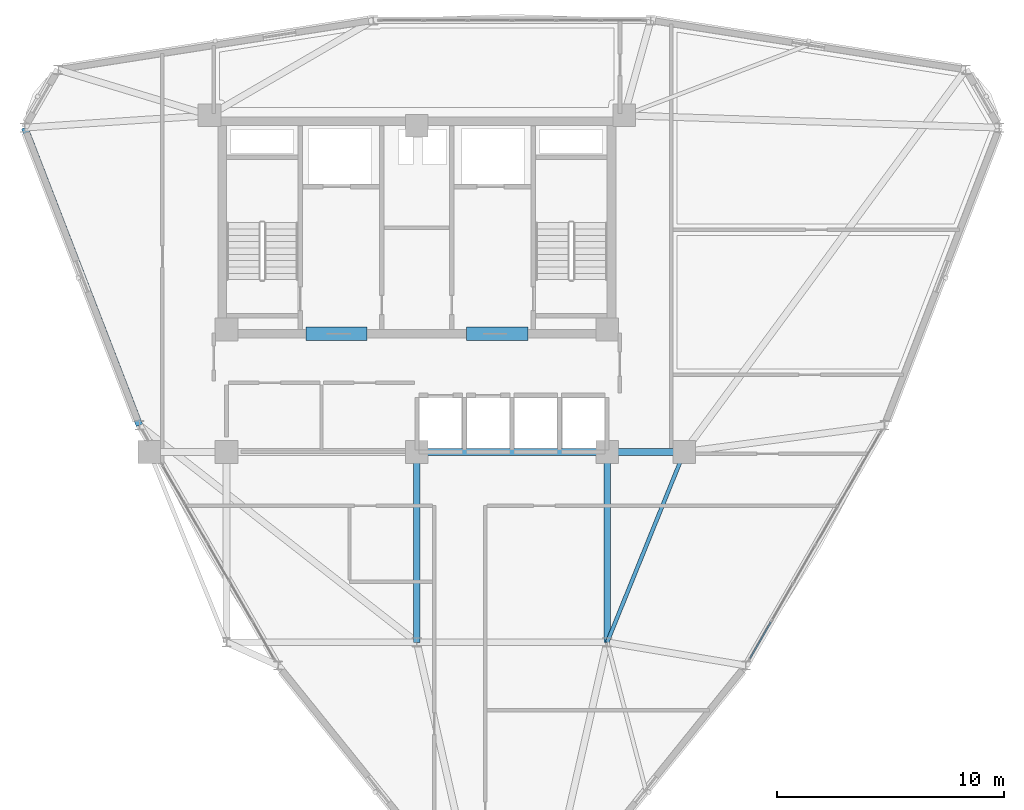
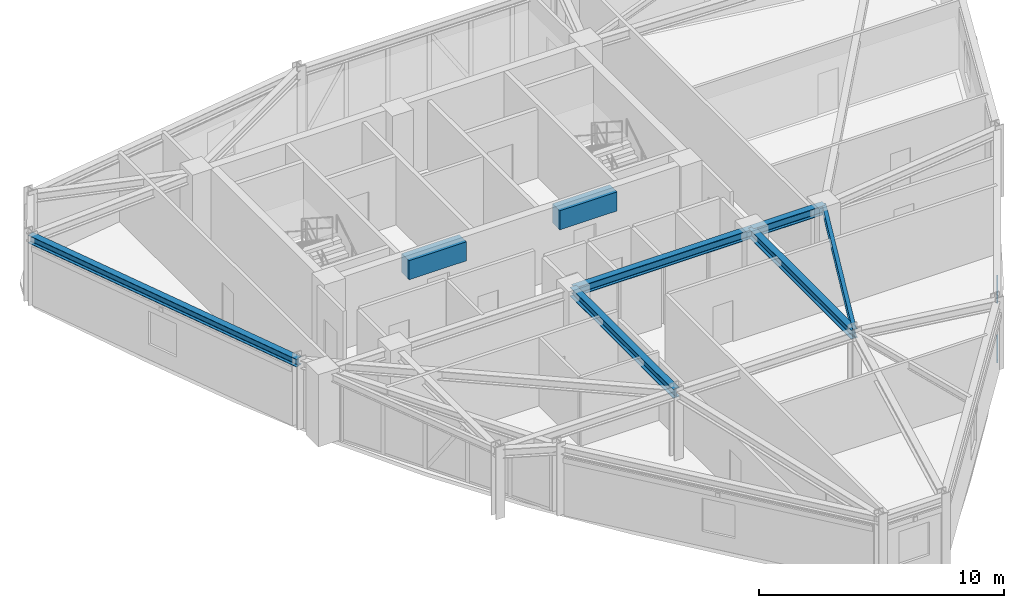
# One storey, part 6 of 16: 8 beams, 2 members, 1 element without a shape of its own.
"""IFC4 building model written with IfcOpenShell, lengths in metres."""

from ifc_helpers import new_model, si_unit, derived_unit, direction, frame, origin, origin_2d, place, context, subcontext, project, spatial, rectangle, hollow_rectangle, i_section, extrude, source, transform, mapped, material, layer, layer_set, material_profile, profile_set, type_object, element, aggregate, save


model = new_model("IFC4")

# Units and contexts
model_context = context("Model", 3, precision=1e-05, world=origin(), true_north=direction((0.0, 1.0)))
body_context = subcontext(model_context, "Body", "Model", "MODEL_VIEW")
ifc_project = project(units=[si_unit("LENGTHUNIT", "METRE"), si_unit("AREAUNIT", "SQUARE_METRE"), si_unit("VOLUMEUNIT", "CUBIC_METRE"), si_unit("PLANEANGLEUNIT", "RADIAN"), si_unit("MASSUNIT", "GRAM", prefix="KILO"), derived_unit("THERMALTRANSMITTANCEUNIT", [(si_unit("POWERUNIT", "WATT"), 1), (si_unit("LENGTHUNIT", "METRE"), -2), (si_unit("THERMODYNAMICTEMPERATUREUNIT", "KELVIN"), -1)])], contexts=[model_context])

# Site, building, storey
site_placement = place(None, origin())
site = spatial("IfcSite", under=ifc_project, at=site_placement, CompositionType="ELEMENT")
building_placement = place(site_placement, origin())
building = spatial("IfcBuilding", under=site, at=building_placement, Name="Korsvarv Bourse and Concert Hall", CompositionType="ELEMENT")
storey_placement = place(building_placement, frame((0.0, 0.0, 220.199951171875)))
storey = spatial("IfcBuildingStorey", under=building, at=storey_placement, Name="L57", CompositionType="ELEMENT", Elevation=220.199951171875)

# Beams
ifc_material_1 = material(Name="Concrete C55/67", Category="concrete")
ifc_material_profile_1 = material_profile(ifc_material_1, rectangle(XDim=0.60009765625, YDim=0.949951171875, at=origin_2d()), Name="RC-BM 600x950")
ifc_profile_set_1 = profile_set([ifc_material_profile_1], Name="Concrete C55/67")
beam_type_1 = type_object("IfcBeamType", Name="BM-CPL", PredefinedType="LINTEL", material=ifc_profile_set_1)
shared_shape_1 = source(origin(), body_context, "Body", "SweptSolid", [
    extrude(rectangle(XDim=0.60009765625, YDim=0.949951171875, at=origin_2d()), origin(), (0.0, 0.0, 1.0), 2.699951171875),
])
for number, where, z_axis, x_axis, name in (
    (1, (31.10009765625, 37.610107421875, 2.93505859375), (1.0, 0.0, 0.0), (0.0, 1.0, 0.0), "L57 Core Coupling Beam West"),
    (2, (38.199951171875, 37.610107421875, 2.93505859375), (1.0, 0.0, 0.0), (0.0, 1.0, 0.0), "L57 Core Coupling Beam East"),
):
    element("IfcBeam", number, at=place(storey_placement, frame(where, z_axis=z_axis, x_axis=x_axis)), inside=storey, type_object=beam_type_1, Name=name, PredefinedType="LINTEL", context=body_context, shape_type="MappedRepresentation", body=[
        mapped(shared_shape_1, transform((0.0, 0.0, 0.0), scale=1.0)),
    ])
ifc_material_2 = material(Name="Steel S355", Category="steel")
ifc_material_profile_2 = material_profile(ifc_material_2, i_section(OverallWidth=0.169921875, OverallDepth=0.360107421875, WebThickness=0.008056640625, FlangeThickness=0.0126953125, FilletRadius=0.01806640625, at=origin_2d()), Name="IPE 360")
ifc_profile_set_2 = profile_set([ifc_material_profile_2], Name="Steel S355")
beam_type_2 = type_object("IfcBeamType", Name="BM-IPE360", PredefinedType="JOIST", material=ifc_profile_set_2)
shared_shape_2 = source(origin(), body_context, "Body", "SweptSolid", [
    extrude(i_section(OverallWidth=0.169921875, OverallDepth=0.360107421875, WebThickness=0.008056640625, FlangeThickness=0.0126953125, FilletRadius=0.01806640625, at=origin_2d()), origin(), (0.0, 0.0, 1.0), 9.06201171875),
])
beam_1_placement = place(storey_placement, frame((47.800048828125, 32.39990234375, 3.22998046875), z_axis=(-0.375210394783, -0.926939674222, 0.0), x_axis=(0.926939674222, -0.375210394783, 0.0)))
element("IfcBeam", 3, at=beam_1_placement, inside=storey, type_object=beam_type_2, Name="L57 beam J-06", PredefinedType="JOIST", context=body_context, shape_type="MappedRepresentation", body=[
    mapped(shared_shape_2, transform((0.0, 0.0, 0.0), scale=1.0)),
])
ifc_material_profile_3 = material_profile(ifc_material_2, i_section(OverallWidth=0.300048828125, OverallDepth=0.449951171875, WebThickness=0.013916015625, FlangeThickness=0.02587890625, FilletRadius=0.02099609375, at=origin_2d()), Name="HEB 450")
ifc_profile_set_3 = profile_set([ifc_material_profile_3], Name="Steel S355")
beam_type_3 = type_object("IfcBeamType", Name="BM-HEB450", PredefinedType="SPANDREL", material=ifc_profile_set_3)
shared_shape_3 = source(origin(), body_context, "Body", "SweptSolid", [
    extrude(i_section(OverallWidth=0.300048828125, OverallDepth=0.449951171875, WebThickness=0.013916015625, FlangeThickness=0.02587890625, FilletRadius=0.02099609375, at=origin_2d()), origin(), (0.0, 0.0, 1.0), 3.400146484375),
])
beam_2_placement = place(storey_placement, frame((44.39990234375, 32.39990234375, 3.18505859375), z_axis=(1.0, 0.0, 0.0), x_axis=(0.0, 1.0, 0.0)))
element("IfcBeam", 4, at=beam_2_placement, inside=storey, type_object=beam_type_3, Name="L57 beam B-08", PredefinedType="SPANDREL", context=body_context, shape_type="MappedRepresentation", body=[
    mapped(shared_shape_3, transform((0.0, 0.0, 0.0), scale=1.0)),
])
shared_shape_4 = source(origin(), body_context, "Body", "SweptSolid", [
    extrude(i_section(OverallWidth=0.300048828125, OverallDepth=0.449951171875, WebThickness=0.013916015625, FlangeThickness=0.02587890625, FilletRadius=0.02099609375, at=origin_2d()), origin(), (0.0, 0.0, 1.0), 8.39990234375),
])
for number, where, z_axis, x_axis, name in (
    (5, (36.0, 32.39990234375, 3.18505859375), (1.0, 0.0, 0.0), (0.0, 1.0, 0.0), "L57 beam B-08"),
    (6, (36.0, 24.0, 3.18505859375), (0.0, 1.0, 0.0), (-1.0, 0.0, 0.0), "L57 beam B-08"),
    (7, (44.39990234375, 24.0, 3.18505859375), (0.0, 1.0, 0.0), (-1.0, 0.0, 0.0), "L57 beam B-08"),
):
    element("IfcBeam", number, at=place(storey_placement, frame(where, z_axis=z_axis, x_axis=x_axis)), inside=storey, type_object=beam_type_3, Name=name, PredefinedType="SPANDREL", context=body_context, shape_type="MappedRepresentation", body=[
        mapped(shared_shape_4, transform((0.0, 0.0, 0.0), scale=1.0)),
    ])
ifc_material_profile_4 = material_profile(ifc_material_2, i_section(OverallWidth=0.300048828125, OverallDepth=0.389892578125, WebThickness=0.010986328125, FlangeThickness=0.01904296875, FilletRadius=0.02099609375, at=origin_2d()), Name="HEA 400")
ifc_profile_set_4 = profile_set([ifc_material_profile_4], Name="Steel S355")
beam_type_4 = type_object("IfcBeamType", Name="BM-HEA400", PredefinedType="BEAM", material=ifc_profile_set_4)
shared_shape_5 = source(origin(), body_context, "Body", "SweptSolid", [
    extrude(i_section(OverallWidth=0.300048828125, OverallDepth=0.389892578125, WebThickness=0.010986328125, FlangeThickness=0.01904296875, FilletRadius=0.02099609375, at=origin_2d()), origin(), (0.0, 0.0, 1.0), 14.077880859375),
])
beam_3_placement = place(storey_placement, frame((18.69287109375, 46.70849609375, 3.215087890625), z_axis=(0.359967818551, -0.932964720452, 0.0), x_axis=(0.932964720452, 0.359967818551, 0.0)))
element("IfcBeam", 8, at=beam_3_placement, inside=storey, type_object=beam_type_4, Name="L57 beam B-11", PredefinedType="BEAM", context=body_context, shape_type="MappedRepresentation", body=[
    mapped(shared_shape_5, transform((0.0, 0.0, 0.0), scale=1.0)),
])

# Curtain wall, members
ifc_material_3 = material(Name="Anodised aluminium and triple low-E glazing", Category="glass")
ifc_layer = layer(ifc_material_3, 0.199951171875)
ifc_layer_set = layer_set([ifc_layer], Name="Anodised aluminium and triple low-E glazing")
curtain_wall_type = type_object("IfcCurtainWallType", Name="CW-SYS-3", PredefinedType="NOTDEFINED", material=ifc_layer_set)
curtain_wall_placement = place(storey_placement, origin())
curtain_wall = element("IfcCurtainWall", 9, at=curtain_wall_placement, inside=storey, type_object=curtain_wall_type, Name="L57 CW3 curtain wall CW-L57-F11", PredefinedType="NOTDEFINED")
ifc_material_4 = material(Name="Extruded aluminium EN AW-6063 T66", Category="aluminium")
ifc_material_profile_5 = material_profile(ifc_material_4, hollow_rectangle(XDim=0.06494140625, YDim=0.139892578125, WallThickness=0.00390625, at=origin_2d()), Name="ALU-T 65x140")
ifc_profile_set_5 = profile_set([ifc_material_profile_5], Name="Extruded aluminium EN AW-6063 T66")
member_type = type_object("IfcMemberType", Name="CWT-140", PredefinedType="USERDEFINED", material=ifc_profile_set_5)
shared_shape_6 = source(origin(), body_context, "Body", "SweptSolid", [
    extrude(hollow_rectangle(XDim=0.06494140625, YDim=0.139892578125, WallThickness=0.00390625, at=origin_2d()), origin(), (0.0, 0.0, 1.0), 1.83544921875),
])
member_1_placement = place(storey_placement, frame((50.70458984375, 23.29443359375, 0.032470703125), z_axis=(0.499987270552, 0.86603275301, 0.0), x_axis=(-0.86603275301, 0.499987270552, 0.0)))
member_1 = element("IfcMember", 10, at=member_1_placement, type_object=member_type, Name="CW3 transom 1.1", ObjectType="TRANSOM", PredefinedType="USERDEFINED", context=body_context, shape_type="MappedRepresentation", body=[
    mapped(shared_shape_6, transform((0.0, 0.0, 0.0), scale=1.0)),
])
member_2_placement = place(storey_placement, frame((50.70458984375, 23.29443359375, 2.987548828125), z_axis=(0.499987270552, 0.86603275301, 0.0), x_axis=(-0.86603275301, 0.499987270552, 0.0)))
member_2 = element("IfcMember", 11, at=member_2_placement, type_object=member_type, Name="CW3 transom 1.2", ObjectType="TRANSOM", PredefinedType="USERDEFINED", context=body_context, shape_type="MappedRepresentation", body=[
    mapped(shared_shape_6, transform((0.0, 0.0, 0.0), scale=1.0)),
])
aggregate(curtain_wall, [member_1, member_2])

save(model, "model.ifc")
